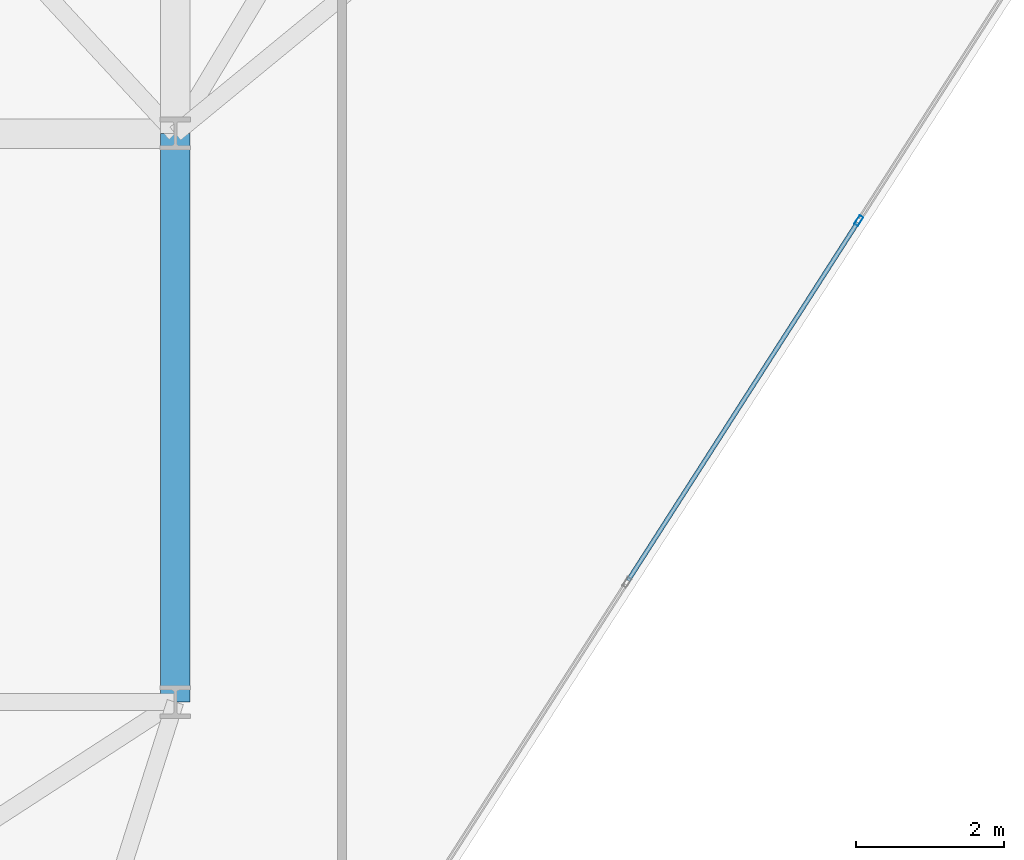
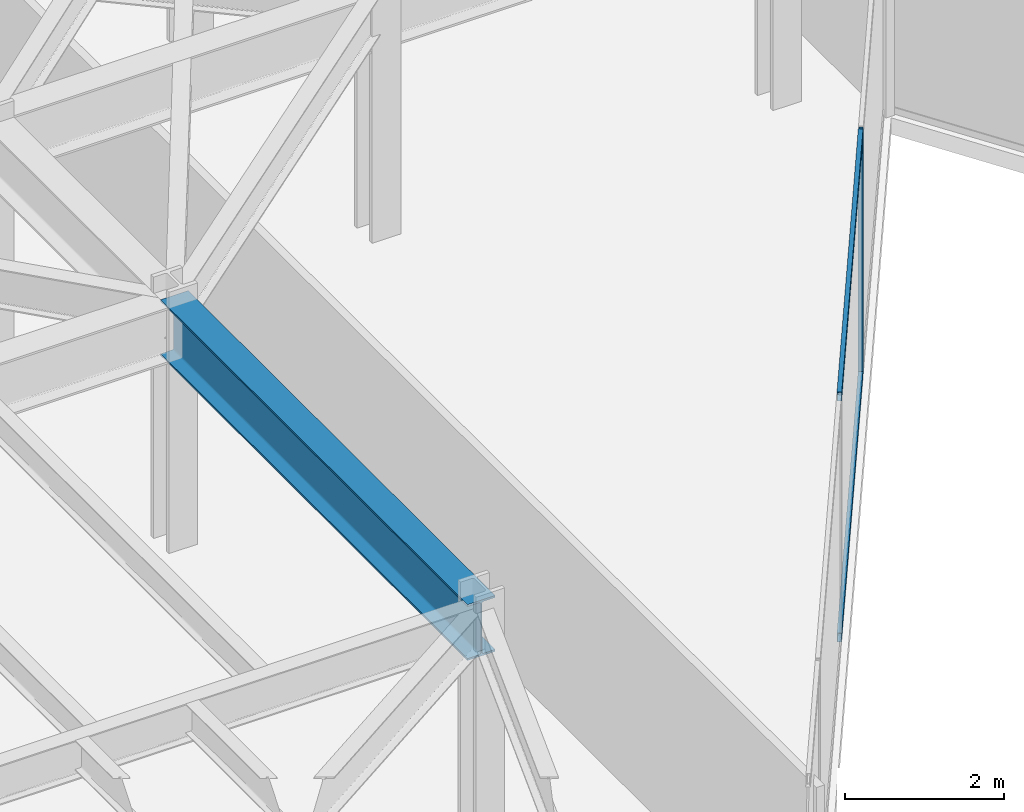
# One storey, part 8 of 26: 3 members, 1 beam, 1 element without a shape of its own.
"""IFC4 building model written with IfcOpenShell, lengths in metres."""

from ifc_helpers import new_model, si_unit, direction, frame, origin, origin_2d, place, context, subcontext, project, spatial, hollow_rectangle, i_section, extrude, material, layer, layer_set, material_profile, profile_set, type_object, element, aggregate, save


model = new_model("IFC4")

# Units and contexts
model_context = context("Model", 3, precision=1e-05, world=origin(), true_north=direction((0.0, 1.0)))
body_context = subcontext(model_context, "Body", "Model", "MODEL_VIEW")
ifc_project = project(units=[si_unit("LENGTHUNIT", "METRE"), si_unit("AREAUNIT", "SQUARE_METRE"), si_unit("VOLUMEUNIT", "CUBIC_METRE"), si_unit("PLANEANGLEUNIT", "RADIAN"), si_unit("MASSUNIT", "GRAM", prefix="KILO")], contexts=[model_context])

# Site, building, storey
site_placement = place(None, origin())
site = spatial("IfcSite", under=ifc_project, at=site_placement, CompositionType="ELEMENT")
building_placement = place(site_placement, origin())
building = spatial("IfcBuilding", under=site, at=building_placement, Name="Kravanh Interchange Tower", CompositionType="ELEMENT")
storey_placement = place(building_placement, frame((0.0, 0.0, 132.0)))
storey = spatial("IfcBuildingStorey", under=building, at=storey_placement, Name="L31", CompositionType="ELEMENT", Elevation=132.0)

# Curtain wall, members
ifc_material_1 = material(Name="Anodised Bronze Aluminium", Category="aluminium")
ifc_layer = layer(ifc_material_1, 0.179931640625)
ifc_layer_set = layer_set([ifc_layer], Name="Unitised Curtain Wall System CW-Z2 Mid Office")
curtain_wall_type = type_object("IfcCurtainWallType", Name="Unitised Curtain Wall System CW-Z2 Mid Office", PredefinedType="NOTDEFINED", material=ifc_layer_set)
curtain_wall_placement = place(storey_placement, origin())
curtain_wall = element("IfcCurtainWall", 1, at=curtain_wall_placement, inside=storey, type_object=curtain_wall_type, Name="L31 Unitised Curtain Wall CW-L31-05", PredefinedType="NOTDEFINED")
ifc_material_2 = material(Name="Anodised Bronze Aluminium", Category="aluminium")
ifc_material_profile_1 = material_profile(ifc_material_2, hollow_rectangle(XDim=0.06005859375, YDim=0.139892578125, WallThickness=0.00390625, at=origin_2d()), Name="ALU60X140X4")
ifc_profile_set_1 = profile_set([ifc_material_profile_1], Name="Anodised Bronze Aluminium")
member_type_1 = type_object("IfcMemberType", Name="Curtain Wall Mullion ALU60X140X4 Bronze", PredefinedType="MULLION", material=ifc_profile_set_1)
member_1_placement = place(storey_placement, frame((36.45849609375, 21.021728515625, 0.0), z_axis=(0.0, 0.0, 1.0), x_axis=(0.841879939476, -0.539664865919, 0.0)))
member_1 = element("IfcMember", 2, at=member_1_placement, type_object=member_type_1, Name="CW-Z2 mullion 2", PredefinedType="MULLION", context=body_context, shape_type="SweptSolid", body=[
    extrude(hollow_rectangle(XDim=0.06005859375, YDim=0.139892578125, WallThickness=0.00390625, at=origin_2d()), origin(), (0.0, 0.0, 1.0), 3.75),
])
ifc_material_3 = material(Name="Anodised Bronze Aluminium", Category="aluminium")
ifc_material_profile_2 = material_profile(ifc_material_3, hollow_rectangle(XDim=0.06005859375, YDim=0.139892578125, WallThickness=0.00390625, at=origin_2d()), Name="ALU60X140X4")
ifc_profile_set_2 = profile_set([ifc_material_profile_2], Name="Anodised Bronze Aluminium")
member_type_2 = type_object("IfcMemberType", Name="Curtain Wall Transom ALU60X140X4 Bronze", PredefinedType="USERDEFINED", material=ifc_profile_set_2)
member_2_placement = place(storey_placement, frame((36.4423828125, 20.99658203125, 0.030029296875), z_axis=(-0.539647630778, -0.841890987359, 0.0), x_axis=(0.841890987359, -0.539647630778, 0.0)))
member_2 = element("IfcMember", 3, at=member_2_placement, type_object=member_type_2, Name="CW-Z2 transom 2.1", ObjectType="TRANSOM", PredefinedType="USERDEFINED", context=body_context, shape_type="SweptSolid", body=[
    extrude(hollow_rectangle(XDim=0.06005859375, YDim=0.139892578125, WallThickness=0.00390625, at=origin_2d()), origin(), (0.0, 0.0, 1.0), 5.760986328125),
])
member_3_placement = place(storey_placement, frame((36.4423828125, 20.99658203125, 3.719970703125), z_axis=(-0.539647630778, -0.841890987359, 0.0), x_axis=(0.841890987359, -0.539647630778, 0.0)))
member_3 = element("IfcMember", 4, at=member_3_placement, type_object=member_type_2, Name="CW-Z2 transom 2.2", ObjectType="TRANSOM", PredefinedType="USERDEFINED", context=body_context, shape_type="SweptSolid", body=[
    extrude(hollow_rectangle(XDim=0.06005859375, YDim=0.139892578125, WallThickness=0.00390625, at=origin_2d()), origin(), (0.0, 0.0, 1.0), 5.760986328125),
])
aggregate(curtain_wall, [member_1, member_2, member_3])

# Beam
ifc_material_4 = material(Name="Structural Steel S355", Category="steel")
ifc_material_profile_3 = material_profile(ifc_material_4, i_section(OverallWidth=0.39990234375, OverallDepth=0.85595703125, WebThickness=0.018310546875, FlangeThickness=0.029296875, FilletRadius=0.02490234375, at=origin_2d()), Name="W33X201")
ifc_profile_set_3 = profile_set([ifc_material_profile_3], Name="Structural Steel S355")
beam_type = type_object("IfcBeamType", Name="Floor Beam W33X201 Structural Steel S355", PredefinedType="BEAM", material=ifc_profile_set_3)
beam_placement = place(storey_placement, frame((27.199951171875, 14.5, 3.322021484375), z_axis=(0.0, 1.0, 0.0), x_axis=(-1.0, 0.0, 0.0)))
element("IfcBeam", 5, at=beam_placement, inside=storey, type_object=beam_type, Name="L31 Primary Floor Girder 102", PredefinedType="BEAM", context=body_context, shape_type="SweptSolid", body=[
    extrude(i_section(OverallWidth=0.39990234375, OverallDepth=0.85595703125, WebThickness=0.018310546875, FlangeThickness=0.029296875, FilletRadius=0.02490234375, at=origin_2d()), origin(), (0.0, 0.0, 1.0), 7.699951171875),
])

save(model, "model.ifc")
